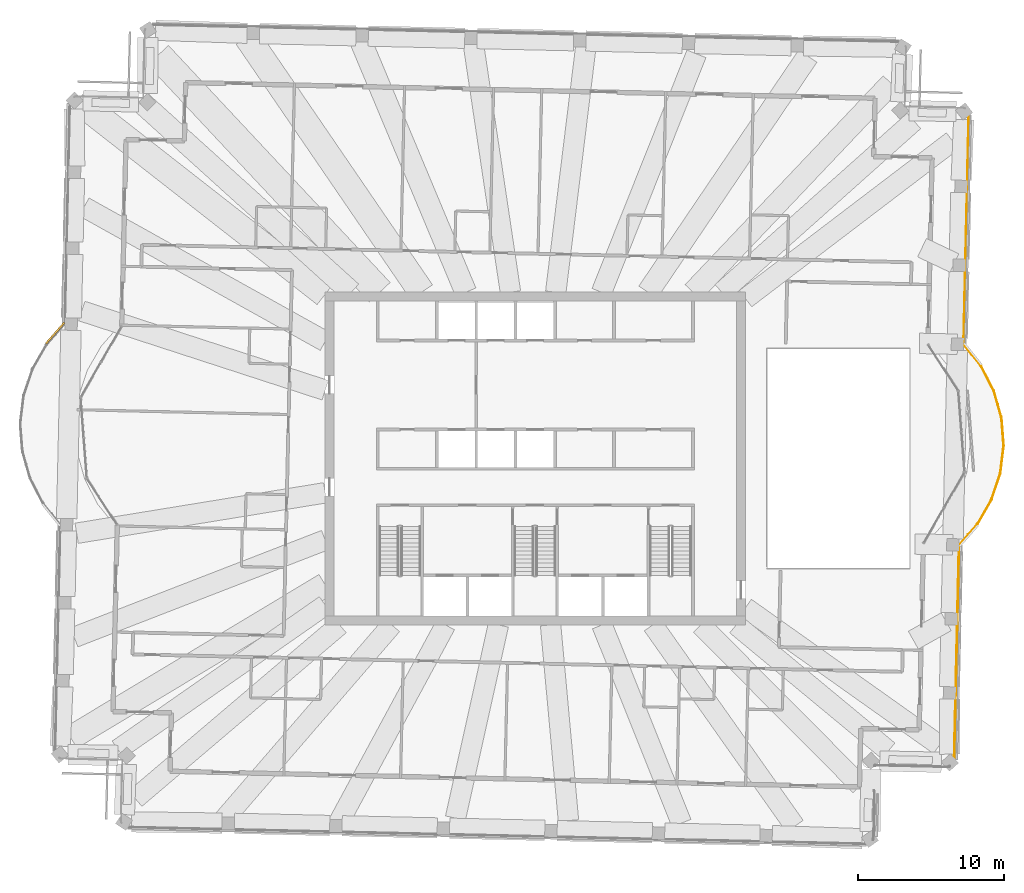
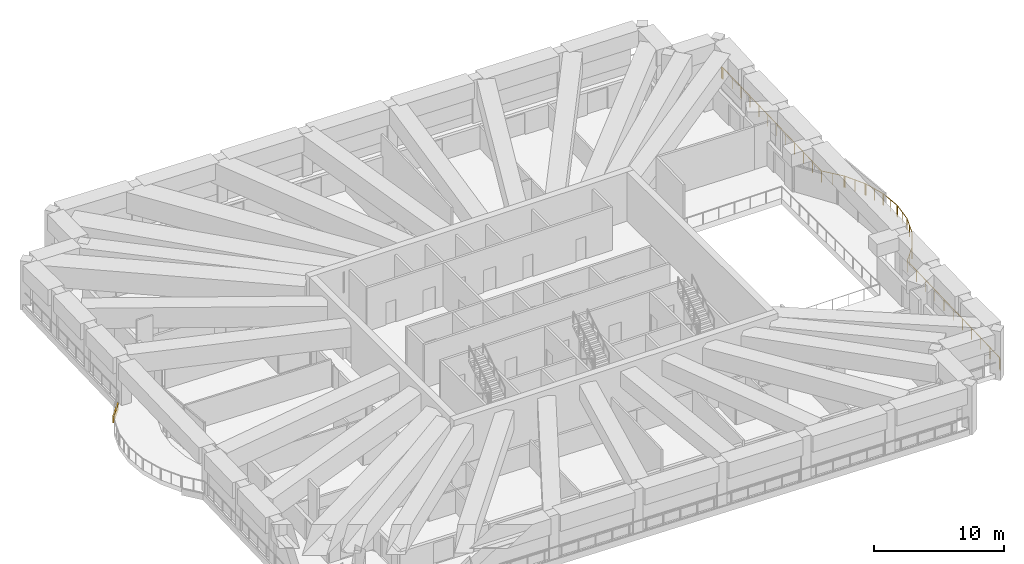
# One storey, part 19 of 21: 1 covering, 1 railing.
"""IFC4 building model written with IfcOpenShell, lengths in metres."""

from ifc_helpers import new_model, si_unit, direction, frame, frame_2d, origin, origin_2d, place, context, subcontext, project, spatial, rectangle, extrude, material, layer, layer_set, type_object, element, save


model = new_model("IFC4")

# Units and contexts
model_context = context("Model", 3, precision=1e-05, world=origin(), true_north=direction((0.0, 1.0)))
body_context = subcontext(model_context, "Body", "Model", "MODEL_VIEW")
ifc_project = project(units=[si_unit("LENGTHUNIT", "METRE"), si_unit("AREAUNIT", "SQUARE_METRE"), si_unit("VOLUMEUNIT", "CUBIC_METRE"), si_unit("PLANEANGLEUNIT", "RADIAN"), si_unit("MASSUNIT", "GRAM", prefix="KILO")], contexts=[model_context])

# Site, building, storey
site_placement = place(None, origin())
site = spatial("IfcSite", under=ifc_project, at=site_placement, CompositionType="ELEMENT")
building_placement = place(site_placement, origin())
building = spatial("IfcBuilding", under=site, at=building_placement, Name="Mangrove Gate Tower", CompositionType="ELEMENT")
storey_placement = place(building_placement, frame((0.0, 0.0, 329.699951171875)))
storey = spatial("IfcBuildingStorey", under=building, at=storey_placement, Name="L84", CompositionType="ELEMENT", Elevation=329.699951171875)

# Railing
ifc_material_1 = material(Name="Stainless steel grade 316 with laminated glass infill", Category="steel")
railing_type = type_object("IfcRailingType", Name="Balcony guard 1100", PredefinedType="GUARDRAIL", material=ifc_material_1)
railing_placement = place(storey_placement, frame((29.659912109375, 23.762939453125, 0.0)))
element("IfcRailing", 1, at=railing_placement, inside=storey, type_object=railing_type, Name="GUARD L84 T1.5", PredefinedType="GUARDRAIL", context=body_context, shape_type="SweptSolid", body=[
    extrude(rectangle(XDim=0.048095703125, YDim=0.048095703125, at=origin_2d()), frame((0.0, 0.0, 1.076171875), z_axis=(0.403640206576, -0.914917801573, 0.0), x_axis=(0.914917801573, 0.403640206576, 0.0)), (0.0, 0.0, 1.0), 0.027099609375),
    extrude(rectangle(XDim=0.048095703125, YDim=0.048095703125, at=origin_2d()), frame((0.010986328125, -0.02490234375, 1.076171875), z_axis=(0.323572178119, -0.94620349056, 0.0), x_axis=(0.94620349056, 0.323572178119, 0.0)), (0.0, 0.0, 1.0), 0.0498046875),
    extrude(rectangle(XDim=0.048095703125, YDim=0.048095703125, at=origin_2d()), frame((0.027099609375, -0.072021484375, 1.076171875), z_axis=(0.204751888661, -0.978813906772, 0.0), x_axis=(0.978813906772, 0.204751888661, 0.0)), (0.0, 0.0, 1.0), 0.048828125),
    extrude(rectangle(XDim=0.048095703125, YDim=0.048095703125, at=origin_2d()), frame((0.037109375, -0.119873046875, 1.076171875), z_axis=(0.142799977478, -0.989751568037, 0.0), x_axis=(0.989751568037, 0.142799977478, 0.0)), (0.0, 0.0, 1.0), 0.049560546875),
    extrude(rectangle(XDim=0.048095703125, YDim=0.048095703125, at=origin_2d()), frame((0.044189453125, -0.1689453125, 1.076171875), z_axis=(0.019896558087, -0.999802043895, 0.0), x_axis=(0.999802043895, 0.019896558087, 0.0)), (0.0, 0.0, 1.0), 0.049072265625),
    extrude(rectangle(XDim=0.048095703125, YDim=0.048095703125, at=origin_2d()), frame((0.045166015625, -0.218017578125, 1.076171875), z_axis=(-0.022732700183, -0.99974157878, 0.0), x_axis=(0.99974157878, -0.022732700183, 0.0)), (0.0, 0.0, 1.0), 15.712158203125),
    extrude(rectangle(XDim=0.048095703125, YDim=0.048095703125, at=origin_2d()), frame((-0.31201171875, -15.926025390625, 1.076171875), z_axis=(0.101513688013, -0.994834142531, 0.0), x_axis=(0.994834142531, 0.101513688013, 0.0)), (0.0, 0.0, 1.0), 0.011962890625),
    extrude(rectangle(XDim=0.048095703125, YDim=0.048095703125, at=origin_2d()), frame((-0.310791015625, -15.93798828125, 1.076171875), z_axis=(0.563961646158, -0.825800981874, 0.0), x_axis=(0.825800981874, 0.563961646158, 0.0)), (0.0, 0.0, 1.0), 0.01220703125),
    extrude(rectangle(XDim=0.048095703125, YDim=0.048095703125, at=origin_2d()), frame((-0.303955078125, -15.947998046875, 1.076171875), z_axis=(0.6255800572, -0.780159978487, 0.0), x_axis=(0.780159978487, 0.6255800572, 0.0)), (0.0, 0.0, 1.0), 1.849365234375),
    extrude(rectangle(XDim=0.048095703125, YDim=0.048095703125, at=origin_2d()), frame((0.85302734375, -17.390869140625, 1.076171875), z_axis=(0.57801734078, -0.816024481102, 0.0), x_axis=(0.816024481102, 0.57801734078, 0.0)), (0.0, 0.0, 1.0), 0.05029296875),
    extrude(rectangle(XDim=0.048095703125, YDim=0.048095703125, at=origin_2d()), frame((0.882080078125, -17.431884765625, 1.076171875), z_axis=(0.519484808927, -0.854479685712, 0.0), x_axis=(0.854479685712, 0.519484808927, 0.0)), (0.0, 0.0, 1.0), 0.05029296875),
    extrude(rectangle(XDim=0.048095703125, YDim=0.048095703125, at=origin_2d()), frame((0.908203125, -17.474853515625, 1.076171875), z_axis=(0.458330693907, -0.888781736436, 0.0), x_axis=(0.888781736436, 0.458330693907, 0.0)), (0.0, 0.0, 1.0), 1.812744140625),
    extrude(rectangle(XDim=0.048095703125, YDim=0.048095703125, at=origin_2d()), frame((1.739013671875, -19.0859375, 1.076171875), z_axis=(0.407059440224, -0.913401670747, 0.0), x_axis=(0.913401670747, 0.407059440224, 0.0)), (0.0, 0.0, 1.0), 0.049072265625),
    extrude(rectangle(XDim=0.048095703125, YDim=0.048095703125, at=origin_2d()), frame((1.759033203125, -19.130859375, 1.076171875), z_axis=(0.317671360445, -0.948200878903, 0.0), x_axis=(0.948200878903, 0.317671360445, 0.0)), (0.0, 0.0, 1.0), 0.05078125),
    extrude(rectangle(XDim=0.048095703125, YDim=0.048095703125, at=origin_2d()), frame((1.775146484375, -19.178955078125, 1.076171875), z_axis=(0.273136815352, -0.961975197237, 0.0), x_axis=(0.961975197237, 0.273136815352, 0.0)), (0.0, 0.0, 1.0), 1.811767578125),
    extrude(rectangle(XDim=0.048095703125, YDim=0.048095703125, at=origin_2d()), frame((2.27001953125, -20.921875, 1.076171875), z_axis=(0.236844906121, -0.971547472049, 0.0), x_axis=(0.971547472049, 0.236844906121, 0.0)), (0.0, 0.0, 1.0), 0.050537109375),
    extrude(rectangle(XDim=0.048095703125, YDim=0.048095703125, at=origin_2d()), frame((2.281982421875, -20.970947265625, 1.076171875), z_axis=(0.123427070371, -0.992353645783, 0.0), x_axis=(0.992353645783, 0.123427070371, 0.0)), (0.0, 0.0, 1.0), 0.049560546875),
    extrude(rectangle(XDim=0.048095703125, YDim=0.048095703125, at=origin_2d()), frame((2.2880859375, -21.02001953125, 1.076171875), z_axis=(0.076614126359, -0.997060818427, 0.0), x_axis=(0.997060818427, 0.076614126359, 0.0)), (0.0, 0.0, 1.0), 1.813232421875),
    extrude(rectangle(XDim=0.048095703125, YDim=0.048095703125, at=origin_2d()), frame((2.427001953125, -22.827880859375, 1.076171875), z_axis=(0.043860190777, -0.999037678801, 0.0), x_axis=(0.999037678801, 0.043860190777, 0.0)), (0.0, 0.0, 1.0), 0.050048828125),
    extrude(rectangle(XDim=0.048095703125, YDim=0.048095703125, at=origin_2d()), frame((2.42919921875, -22.8779296875, 1.076171875), z_axis=(-0.084276225487, -0.996442430759, 0.0), x_axis=(0.996442430759, -0.084276225487, 0.0)), (0.0, 0.0, 1.0), 0.04931640625),
    extrude(rectangle(XDim=0.048095703125, YDim=0.048095703125, at=origin_2d()), frame((2.425048828125, -22.927001953125, 1.076171875), z_axis=(-0.121912255429, -0.992540881766, 0.0), x_axis=(0.992540881766, -0.121912255429, 0.0)), (0.0, 0.0, 1.0), 1.812255859375),
    extrude(rectangle(XDim=0.048095703125, YDim=0.048095703125, at=origin_2d()), frame((2.2041015625, -24.725830078125, 1.076171875), z_axis=(-0.181037892988, -0.983476121369, 0.0), x_axis=(0.983476121369, -0.181037892988, 0.0)), (0.0, 0.0, 1.0), 0.0498046875),
    extrude(rectangle(XDim=0.048095703125, YDim=0.048095703125, at=origin_2d()), frame((2.195068359375, -24.77490234375, 1.076171875), z_axis=(-0.259797678908, -0.965663070659, 0.0), x_axis=(0.965663070659, -0.259797678908, 0.0)), (0.0, 0.0, 1.0), 0.0498046875),
    extrude(rectangle(XDim=0.048095703125, YDim=0.048095703125, at=origin_2d()), frame((2.18212890625, -24.822998046875, 1.076171875), z_axis=(-0.316550896183, -0.948575526843, 0.0), x_axis=(0.948575526843, -0.316550896183, 0.0)), (0.0, 0.0, 1.0), 1.813232421875),
    extrude(rectangle(XDim=0.048095703125, YDim=0.048095703125, at=origin_2d()), frame((1.608154296875, -26.54296875, 1.076171875), z_axis=(-0.366264831108, -0.930510652004, 0.0), x_axis=(0.930510652004, -0.366264831108, 0.0)), (0.0, 0.0, 1.0), 0.04931640625),
    extrude(rectangle(XDim=0.048095703125, YDim=0.048095703125, at=origin_2d()), frame((1.590087890625, -26.5888671875, 1.076171875), z_axis=(-0.452987061934, -0.891517089977, 0.0), x_axis=(0.891517089977, -0.452987061934, 0.0)), (0.0, 0.0, 1.0), 0.05078125),
    extrude(rectangle(XDim=0.048095703125, YDim=0.048095703125, at=origin_2d()), frame((1.567138671875, -26.634033203125, 1.076171875), z_axis=(-0.498415428492, -0.866938325742, 0.0), x_axis=(0.866938325742, -0.498415428492, 0.0)), (0.0, 0.0, 1.0), 1.81201171875),
    extrude(rectangle(XDim=0.048095703125, YDim=0.048095703125, at=origin_2d()), frame((0.6640625, -28.204833984375, 1.076171875), z_axis=(-0.538775689721, -0.842449260291, 0.0), x_axis=(0.842449260291, -0.538775689721, 0.0)), (0.0, 0.0, 1.0), 0.0498046875),
    extrude(rectangle(XDim=0.048095703125, YDim=0.048095703125, at=origin_2d()), frame((0.63720703125, -28.246826171875, 1.076171875), z_axis=(-0.621705532722, -0.783251064846, 0.0), x_axis=(0.783251064846, -0.621705532722, 0.0)), (0.0, 0.0, 1.0), 0.0498046875),
    extrude(rectangle(XDim=0.048095703125, YDim=0.048095703125, at=origin_2d()), frame((0.606201171875, -28.285888671875, 1.076171875), z_axis=(-0.660276969275, -0.751022185987, 0.0), x_axis=(0.751022185987, -0.660276969275, 0.0)), (0.0, 0.0, 1.0), 1.85107421875),
    extrude(rectangle(XDim=0.048095703125, YDim=0.048095703125, at=origin_2d()), frame((-0.615966796875, -29.676025390625, 1.076171875), z_axis=(-0.563961646158, -0.825800981874, 0.0), x_axis=(0.825800981874, -0.563961646158, 0.0)), (0.0, 0.0, 1.0), 0.01220703125),
    extrude(rectangle(XDim=0.048095703125, YDim=0.048095703125, at=origin_2d()), frame((-0.622802734375, -29.68603515625, 1.076171875), z_axis=(-0.101513688013, -0.994834142531, 0.0), x_axis=(0.994834142531, -0.101513688013, 0.0)), (0.0, 0.0, 1.0), 0.011962890625),
    extrude(rectangle(XDim=0.048095703125, YDim=0.048095703125, at=origin_2d()), frame((-0.6240234375, -29.697998046875, 1.076171875), z_axis=(-0.022701803337, -0.999742280853, 0.0), x_axis=(0.999742280853, -0.022701803337, 0.0)), (0.0, 0.0, 1.0), 14.7119140625),
    extrude(rectangle(XDim=0.048095703125, YDim=0.048095703125, at=origin_2d()), frame((-0.9580078125, -44.406005859375, 1.076171875), z_axis=(-0.059892290728, -0.998204845466, 0.0), x_axis=(0.998204845466, -0.059892290728, 0.0)), (0.0, 0.0, 1.0), 0.048828125),
    extrude(rectangle(XDim=0.048095703125, YDim=0.048095703125, at=origin_2d()), frame((-0.9609375, -44.454833984375, 1.076171875), z_axis=(-0.181037892988, -0.983476121369, 0.0), x_axis=(0.983476121369, -0.181037892988, 0.0)), (0.0, 0.0, 1.0), 0.0498046875),
    extrude(rectangle(XDim=0.048095703125, YDim=0.048095703125, at=origin_2d()), frame((-0.969970703125, -44.50390625, 1.076171875), z_axis=(-0.264808083684, -0.964301134924, 0.0), x_axis=(0.964301134924, -0.264808083684, 0.0)), (0.0, 0.0, 1.0), 0.048828125),
    extrude(rectangle(XDim=0.048095703125, YDim=0.048095703125, at=origin_2d()), frame((-0.98291015625, -44.551025390625, 1.076171875), z_axis=(-0.348937359118, -0.937146050203, 0.0), x_axis=(0.937146050203, -0.348937359118, 0.0)), (0.0, 0.0, 1.0), 0.049072265625),
    extrude(rectangle(XDim=0.048095703125, YDim=0.048095703125, at=origin_2d()), frame((-1.0, -44.596923828125, 1.076171875), z_axis=(-0.461078797779, -0.887359195726, 0.0), x_axis=(0.887359195726, -0.461078797779, 0.0)), (0.0, 0.0, 1.0), 0.028076171875),
    extrude(rectangle(XDim=0.0419921875, YDim=0.0419921875, at=origin_2d()), origin(), (0.0, 0.0, 1.0), 1.052001953125),
    extrude(rectangle(XDim=0.0419921875, YDim=0.0419921875, at=origin_2d()), frame((0.010986328125, -0.02490234375, 0.0)), (0.0, 0.0, 1.0), 1.052001953125),
    extrude(rectangle(XDim=0.0419921875, YDim=0.0419921875, at=origin_2d()), frame((0.027099609375, -0.072021484375, 0.0)), (0.0, 0.0, 1.0), 1.052001953125),
    extrude(rectangle(XDim=0.0419921875, YDim=0.0419921875, at=origin_2d()), frame((0.037109375, -0.119873046875, 0.0)), (0.0, 0.0, 1.0), 1.052001953125),
    extrude(rectangle(XDim=0.0419921875, YDim=0.0419921875, at=origin_2d()), frame((0.044189453125, -0.1689453125, 0.0)), (0.0, 0.0, 1.0), 1.052001953125),
    extrude(rectangle(XDim=0.0419921875, YDim=0.0419921875, at=origin_2d()), frame((0.045166015625, -0.218017578125, 0.0)), (0.0, 0.0, 1.0), 1.052001953125),
    extrude(rectangle(XDim=0.0419921875, YDim=0.0419921875, at=origin_2d()), frame((0.0126953125, -1.64599609375, 0.0)), (0.0, 0.0, 1.0), 1.052001953125),
    extrude(rectangle(XDim=0.0419921875, YDim=0.0419921875, at=origin_2d()), frame((-0.019775390625, -3.073974609375, 0.0)), (0.0, 0.0, 1.0), 1.052001953125),
    extrude(rectangle(XDim=0.0419921875, YDim=0.0419921875, at=origin_2d()), frame((-0.05224609375, -4.501953125, 0.0)), (0.0, 0.0, 1.0), 1.052001953125),
    extrude(rectangle(XDim=0.0419921875, YDim=0.0419921875, at=origin_2d()), frame((-0.084716796875, -5.929931640625, 0.0)), (0.0, 0.0, 1.0), 1.052001953125),
    extrude(rectangle(XDim=0.0419921875, YDim=0.0419921875, at=origin_2d()), frame((-0.1171875, -7.35791015625, 0.0)), (0.0, 0.0, 1.0), 1.052001953125),
    extrude(rectangle(XDim=0.0419921875, YDim=0.0419921875, at=origin_2d()), frame((-0.149658203125, -8.7861328125, 0.0)), (0.0, 0.0, 1.0), 1.052001953125),
    extrude(rectangle(XDim=0.0419921875, YDim=0.0419921875, at=origin_2d()), frame((-0.18212890625, -10.214111328125, 0.0)), (0.0, 0.0, 1.0), 1.052001953125),
    extrude(rectangle(XDim=0.0419921875, YDim=0.0419921875, at=origin_2d()), frame((-0.214599609375, -11.64208984375, 0.0)), (0.0, 0.0, 1.0), 1.052001953125),
    extrude(rectangle(XDim=0.0419921875, YDim=0.0419921875, at=origin_2d()), frame((-0.2470703125, -13.070068359375, 0.0)), (0.0, 0.0, 1.0), 1.052001953125),
    extrude(rectangle(XDim=0.0419921875, YDim=0.0419921875, at=origin_2d()), frame((-0.279541015625, -14.498046875, 0.0)), (0.0, 0.0, 1.0), 1.052001953125),
    extrude(rectangle(XDim=0.0419921875, YDim=0.0419921875, at=origin_2d()), frame((-0.31201171875, -15.926025390625, 0.0)), (0.0, 0.0, 1.0), 1.052001953125),
    extrude(rectangle(XDim=0.0419921875, YDim=0.0419921875, at=origin_2d()), frame((-0.310791015625, -15.93798828125, 0.0)), (0.0, 0.0, 1.0), 1.052001953125),
    extrude(rectangle(XDim=0.0419921875, YDim=0.0419921875, at=origin_2d()), frame((-0.303955078125, -15.947998046875, 0.0)), (0.0, 0.0, 1.0), 1.052001953125),
    extrude(rectangle(XDim=0.0419921875, YDim=0.0419921875, at=origin_2d()), frame((0.2744140625, -16.66943359375, 0.0)), (0.0, 0.0, 1.0), 1.052001953125),
    extrude(rectangle(XDim=0.0419921875, YDim=0.0419921875, at=origin_2d()), frame((0.85302734375, -17.390869140625, 0.0)), (0.0, 0.0, 1.0), 1.052001953125),
    extrude(rectangle(XDim=0.0419921875, YDim=0.0419921875, at=origin_2d()), frame((0.882080078125, -17.431884765625, 0.0)), (0.0, 0.0, 1.0), 1.052001953125),
    extrude(rectangle(XDim=0.0419921875, YDim=0.0419921875, at=origin_2d()), frame((0.908203125, -17.474853515625, 0.0)), (0.0, 0.0, 1.0), 1.052001953125),
    extrude(rectangle(XDim=0.0419921875, YDim=0.0419921875, at=origin_2d()), frame((1.32373046875, -18.2802734375, 0.0)), (0.0, 0.0, 1.0), 1.052001953125),
    extrude(rectangle(XDim=0.0419921875, YDim=0.0419921875, at=origin_2d()), frame((1.739013671875, -19.0859375, 0.0)), (0.0, 0.0, 1.0), 1.052001953125),
    extrude(rectangle(XDim=0.0419921875, YDim=0.0419921875, at=origin_2d()), frame((1.759033203125, -19.130859375, 0.0)), (0.0, 0.0, 1.0), 1.052001953125),
    extrude(rectangle(XDim=0.0419921875, YDim=0.0419921875, at=origin_2d()), frame((1.775146484375, -19.178955078125, 0.0)), (0.0, 0.0, 1.0), 1.052001953125),
    extrude(rectangle(XDim=0.0419921875, YDim=0.0419921875, at=origin_2d()), frame((2.0224609375, -20.05029296875, 0.0)), (0.0, 0.0, 1.0), 1.052001953125),
    extrude(rectangle(XDim=0.0419921875, YDim=0.0419921875, at=origin_2d()), frame((2.27001953125, -20.921875, 0.0)), (0.0, 0.0, 1.0), 1.052001953125),
    extrude(rectangle(XDim=0.0419921875, YDim=0.0419921875, at=origin_2d()), frame((2.281982421875, -20.970947265625, 0.0)), (0.0, 0.0, 1.0), 1.052001953125),
    extrude(rectangle(XDim=0.0419921875, YDim=0.0419921875, at=origin_2d()), frame((2.2880859375, -21.02001953125, 0.0)), (0.0, 0.0, 1.0), 1.052001953125),
    extrude(rectangle(XDim=0.0419921875, YDim=0.0419921875, at=origin_2d()), frame((2.357421875, -21.923828125, 0.0)), (0.0, 0.0, 1.0), 1.052001953125),
    extrude(rectangle(XDim=0.0419921875, YDim=0.0419921875, at=origin_2d()), frame((2.427001953125, -22.827880859375, 0.0)), (0.0, 0.0, 1.0), 1.052001953125),
    extrude(rectangle(XDim=0.0419921875, YDim=0.0419921875, at=origin_2d()), frame((2.42919921875, -22.8779296875, 0.0)), (0.0, 0.0, 1.0), 1.052001953125),
    extrude(rectangle(XDim=0.0419921875, YDim=0.0419921875, at=origin_2d()), frame((2.425048828125, -22.927001953125, 0.0)), (0.0, 0.0, 1.0), 1.052001953125),
    extrude(rectangle(XDim=0.0419921875, YDim=0.0419921875, at=origin_2d()), frame((2.314453125, -23.826416015625, 0.0)), (0.0, 0.0, 1.0), 1.052001953125),
    extrude(rectangle(XDim=0.0419921875, YDim=0.0419921875, at=origin_2d()), frame((2.2041015625, -24.725830078125, 0.0)), (0.0, 0.0, 1.0), 1.052001953125),
    extrude(rectangle(XDim=0.0419921875, YDim=0.0419921875, at=origin_2d()), frame((2.195068359375, -24.77490234375, 0.0)), (0.0, 0.0, 1.0), 1.052001953125),
    extrude(rectangle(XDim=0.0419921875, YDim=0.0419921875, at=origin_2d()), frame((2.18212890625, -24.822998046875, 0.0)), (0.0, 0.0, 1.0), 1.052001953125),
    extrude(rectangle(XDim=0.0419921875, YDim=0.0419921875, at=origin_2d()), frame((1.89501953125, -25.68310546875, 0.0)), (0.0, 0.0, 1.0), 1.052001953125),
    extrude(rectangle(XDim=0.0419921875, YDim=0.0419921875, at=origin_2d()), frame((1.608154296875, -26.54296875, 0.0)), (0.0, 0.0, 1.0), 1.052001953125),
    extrude(rectangle(XDim=0.0419921875, YDim=0.0419921875, at=origin_2d()), frame((1.590087890625, -26.5888671875, 0.0)), (0.0, 0.0, 1.0), 1.052001953125),
    extrude(rectangle(XDim=0.0419921875, YDim=0.0419921875, at=origin_2d()), frame((1.567138671875, -26.634033203125, 0.0)), (0.0, 0.0, 1.0), 1.052001953125),
    extrude(rectangle(XDim=0.0419921875, YDim=0.0419921875, at=origin_2d()), frame((1.11572265625, -27.41943359375, 0.0)), (0.0, 0.0, 1.0), 1.052001953125),
    extrude(rectangle(XDim=0.0419921875, YDim=0.0419921875, at=origin_2d()), frame((0.6640625, -28.204833984375, 0.0)), (0.0, 0.0, 1.0), 1.052001953125),
    extrude(rectangle(XDim=0.0419921875, YDim=0.0419921875, at=origin_2d()), frame((0.63720703125, -28.246826171875, 0.0)), (0.0, 0.0, 1.0), 1.052001953125),
    extrude(rectangle(XDim=0.0419921875, YDim=0.0419921875, at=origin_2d()), frame((0.606201171875, -28.285888671875, 0.0)), (0.0, 0.0, 1.0), 1.052001953125),
    extrude(rectangle(XDim=0.0419921875, YDim=0.0419921875, at=origin_2d()), frame((-0.0048828125, -28.98095703125, 0.0)), (0.0, 0.0, 1.0), 1.052001953125),
    extrude(rectangle(XDim=0.0419921875, YDim=0.0419921875, at=origin_2d()), frame((-0.615966796875, -29.676025390625, 0.0)), (0.0, 0.0, 1.0), 1.052001953125),
    extrude(rectangle(XDim=0.0419921875, YDim=0.0419921875, at=origin_2d()), frame((-0.622802734375, -29.68603515625, 0.0)), (0.0, 0.0, 1.0), 1.052001953125),
    extrude(rectangle(XDim=0.0419921875, YDim=0.0419921875, at=origin_2d()), frame((-0.6240234375, -29.697998046875, 0.0)), (0.0, 0.0, 1.0), 1.052001953125),
    extrude(rectangle(XDim=0.0419921875, YDim=0.0419921875, at=origin_2d()), frame((-0.657470703125, -31.168701171875, 0.0)), (0.0, 0.0, 1.0), 1.052001953125),
    extrude(rectangle(XDim=0.0419921875, YDim=0.0419921875, at=origin_2d()), frame((-0.69091796875, -32.6396484375, 0.0)), (0.0, 0.0, 1.0), 1.052001953125),
    extrude(rectangle(XDim=0.0419921875, YDim=0.0419921875, at=origin_2d()), frame((-0.72412109375, -34.1103515625, 0.0)), (0.0, 0.0, 1.0), 1.052001953125),
    extrude(rectangle(XDim=0.0419921875, YDim=0.0419921875, at=origin_2d()), frame((-0.757568359375, -35.581298828125, 0.0)), (0.0, 0.0, 1.0), 1.052001953125),
    extrude(rectangle(XDim=0.0419921875, YDim=0.0419921875, at=origin_2d()), frame((-0.791015625, -37.052001953125, 0.0)), (0.0, 0.0, 1.0), 1.052001953125),
    extrude(rectangle(XDim=0.0419921875, YDim=0.0419921875, at=origin_2d()), frame((-0.824462890625, -38.522705078125, 0.0)), (0.0, 0.0, 1.0), 1.052001953125),
    extrude(rectangle(XDim=0.0419921875, YDim=0.0419921875, at=origin_2d()), frame((-0.85791015625, -39.99365234375, 0.0)), (0.0, 0.0, 1.0), 1.052001953125),
    extrude(rectangle(XDim=0.0419921875, YDim=0.0419921875, at=origin_2d()), frame((-0.89111328125, -41.46435546875, 0.0)), (0.0, 0.0, 1.0), 1.052001953125),
    extrude(rectangle(XDim=0.0419921875, YDim=0.0419921875, at=origin_2d()), frame((-0.924560546875, -42.935302734375, 0.0)), (0.0, 0.0, 1.0), 1.052001953125),
    extrude(rectangle(XDim=0.0419921875, YDim=0.0419921875, at=origin_2d()), frame((-0.9580078125, -44.406005859375, 0.0)), (0.0, 0.0, 1.0), 1.052001953125),
    extrude(rectangle(XDim=0.0419921875, YDim=0.0419921875, at=origin_2d()), frame((-0.9609375, -44.454833984375, 0.0)), (0.0, 0.0, 1.0), 1.052001953125),
    extrude(rectangle(XDim=0.0419921875, YDim=0.0419921875, at=origin_2d()), frame((-0.969970703125, -44.50390625, 0.0)), (0.0, 0.0, 1.0), 1.052001953125),
    extrude(rectangle(XDim=0.0419921875, YDim=0.0419921875, at=origin_2d()), frame((-0.98291015625, -44.551025390625, 0.0)), (0.0, 0.0, 1.0), 1.052001953125),
    extrude(rectangle(XDim=0.0419921875, YDim=0.0419921875, at=origin_2d()), frame((-1.0, -44.596923828125, 0.0)), (0.0, 0.0, 1.0), 1.052001953125),
    extrude(rectangle(XDim=0.0419921875, YDim=0.0419921875, at=origin_2d()), frame((-1.012939453125, -44.621826171875, 0.0)), (0.0, 0.0, 1.0), 1.052001953125),
])

# Covering
ifc_material_2 = material(Name="Limestone", Category="masonry")
ifc_layer_1 = layer(ifc_material_2, 0.0400390625, Name="Limestone cladding")
ifc_material_3 = material(Name="Stainless steel anchors and cavity", Category="steel")
ifc_layer_2 = layer(ifc_material_3, 0.080078125, Name="Fixing cavity")
ifc_layer_set = layer_set([ifc_layer_1, ifc_layer_2], Name="Joint fascia cladding 120")
covering_type = type_object("IfcCoveringType", Name="Joint fascia cladding 120", PredefinedType="CLADDING", material=ifc_layer_set)
covering_placement = place(storey_placement, frame((-33.533935546875, 7.883056640625, -0.599853515625), z_axis=(0.0, 0.0, 1.0), x_axis=(0.660367195698, 0.750942851917, 0.0)))
element("IfcCovering", 2, at=covering_placement, inside=storey, type_object=covering_type, Name="STONE FASCIA L84 TB111-1.2", PredefinedType="CLADDING", context=body_context, shape_type="SweptSolid", body=[
    extrude(rectangle(XDim=1.900390625, YDim=0.1201171875, at=frame_2d((0.9501953125, 0.0))), origin(), (0.0, 0.0, 1.0), 0.599853515625),
])

save(model, "model.ifc")
